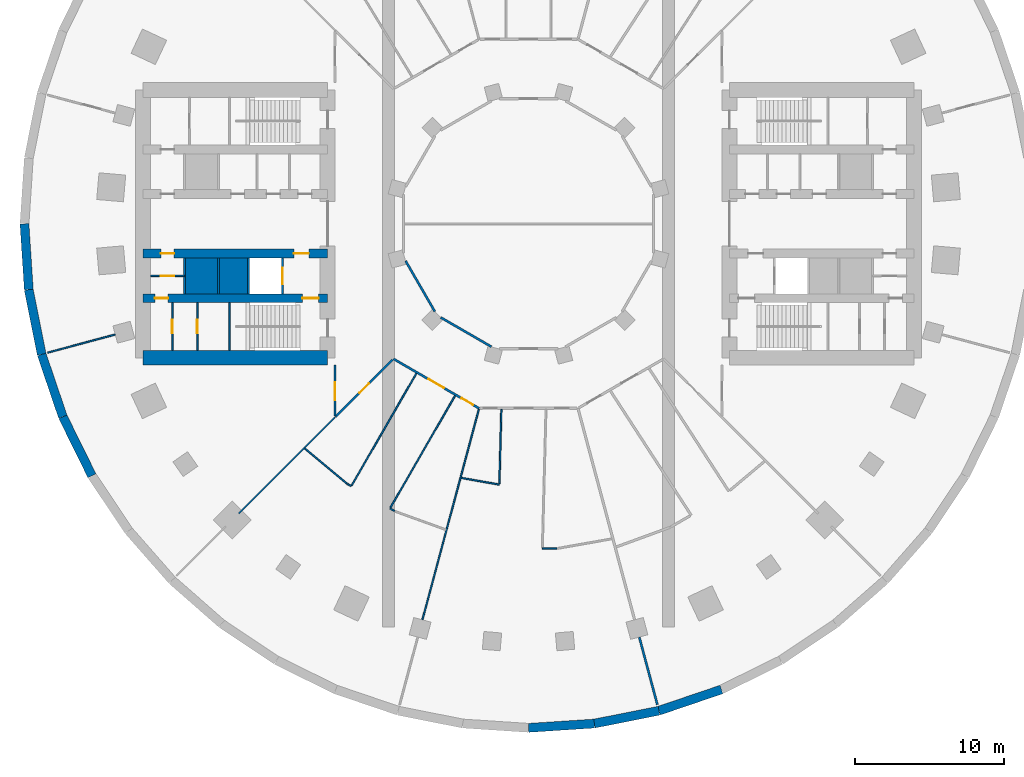
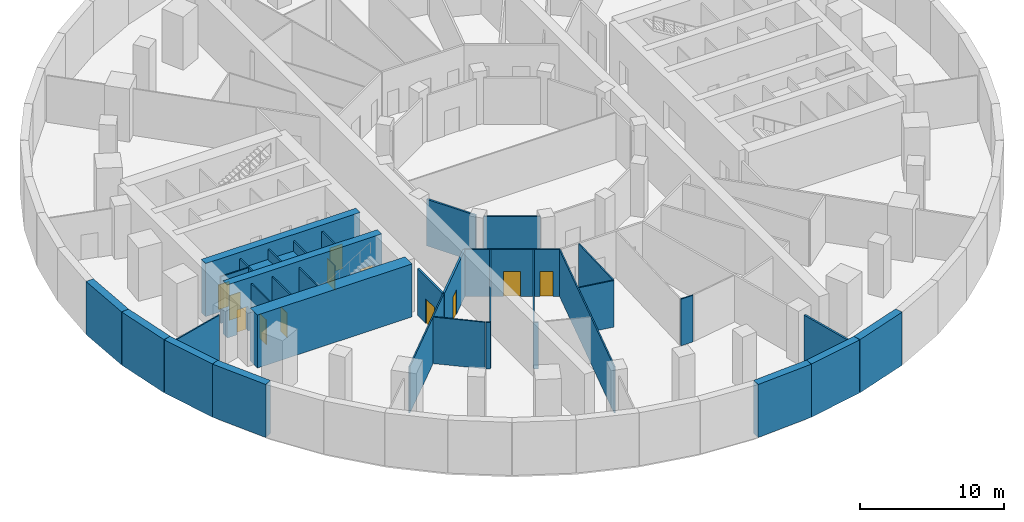
# One storey, part 2 of 8: 37 walls, 12 doors, 12 openings.
"""IFC4 building model written with IfcOpenShell, lengths in metres."""

from ifc_helpers import new_model, si_unit, direction, frame, frame_2d, origin, place, context, subcontext, project, spatial, rectangle, extrude, material, layer, layer_set, type_object, element, fill, save


model = new_model("IFC4")

# Units and contexts
model_context = context("Model", 3, precision=1e-05, world=origin(), true_north=direction((0.0, 1.0)))
body_context = subcontext(model_context, "Body", "Model", "MODEL_VIEW")
ifc_project = project(units=[si_unit("LENGTHUNIT", "METRE"), si_unit("AREAUNIT", "SQUARE_METRE"), si_unit("VOLUMEUNIT", "CUBIC_METRE"), si_unit("PLANEANGLEUNIT", "RADIAN"), si_unit("MASSUNIT", "GRAM", prefix="KILO")], contexts=[model_context])

# Site, building, storey
site_placement = place(None, origin())
site = spatial("IfcSite", under=ifc_project, at=site_placement, CompositionType="ELEMENT")
building_placement = place(site_placement, origin())
building = spatial("IfcBuilding", under=site, at=building_placement, Name="Saqina Gate Tower", CompositionType="ELEMENT")
storey_placement = place(building_placement, frame((0.0, 0.0, -4.5)))
storey = spatial("IfcBuildingStorey", under=building, at=storey_placement, Name="B1", CompositionType="ELEMENT", Elevation=-4.5)

# Wall, opening, door
ifc_material_1 = material(Name="Gypsum board on steel studs", Category="steel")
ifc_layer_1 = layer(ifc_material_1, 0.10009765625)
ifc_layer_set_1 = layer_set([ifc_layer_1], Name="CORE PARTITION")
wall_type_1 = type_object("IfcWallType", Name="CORE PARTITION", PredefinedType="PARTITIONING", material=ifc_layer_set_1)
wall_1_placement = place(storey_placement, frame((-23.1201171875, -3.5, 0.0), z_axis=(0.0, 0.0, 1.0), x_axis=(-1.0, 0.0, 0.0)))
wall_1 = element("IfcWall", 1, at=wall_1_placement, inside=storey, type_object=wall_type_1, Name="B1-CP-W09", PredefinedType="PARTITIONING", context=body_context, shape_type="SweptSolid", body=[
    extrude(rectangle(XDim=2.27978515625, YDim=0.10009765625, at=frame_2d((1.139892578125, 0.0))), origin(), (0.0, 0.0, 1.0), 3.949951171875),
])
opening_1_placement = place(wall_1_placement, frame((0.68994140625, 0.0, 0.0)))
opening_1 = element("IfcOpeningElement", 2, at=opening_1_placement, cuts=wall_1, Name="Opening B1-D114", PredefinedType="OPENING", context=body_context, shape_type="SweptSolid", body=[
    extrude(rectangle(XDim=0.89990234375, YDim=2.10009765625, at=frame_2d((0.449951171875, 1.050048828125))), frame((0.0, 0.06201171875, 0.0), z_axis=(0.0, -1.0, 0.0), x_axis=(1.0, 0.0, 0.0)), (0.0, 0.0, 1.0), 0.1240234375),
])
ifc_material_2 = material(Name="Steel-framed fire door leaf, EI 60", Category="steel")
door_type_1 = type_object("IfcDoorType", Name="SERVICE ROOM DOOR 900", OperationType="SINGLE_SWING_LEFT", PredefinedType="DOOR", material=ifc_material_2)
door_1_placement = place(opening_1_placement, origin())
door_1 = element("IfcDoor", 3, at=door_1_placement, inside=storey, type_object=door_type_1, Name="B1-CD-W25", OperationType="SINGLE_SWING_RIGHT", OverallHeight=2.10009765625, OverallWidth=0.89990234375, PredefinedType="DOOR", context=body_context, shape_type="SweptSolid", body=[
    extrude(rectangle(XDim=0.89990234375, YDim=2.10009765625, at=frame_2d((0.449951171875, 1.050048828125))), frame((0.0, 0.02490234375, 0.0), z_axis=(0.0, -1.0, 0.0), x_axis=(1.0, 0.0, 0.0)), (0.0, 0.0, 1.0), 0.050048828125),
])
fill(opening_1, door_1)

wall_2_placement = place(storey_placement, frame((-22.256103515625, -8.5, 0.0), z_axis=(0.0, 0.0, 1.0), x_axis=(0.0, 1.0, 0.0)))
wall_2 = element("IfcWall", 4, at=wall_2_placement, inside=storey, type_object=wall_type_1, Name="B1-CP-W13", PredefinedType="PARTITIONING", context=body_context, shape_type="SweptSolid", body=[
    extrude(rectangle(XDim=3.199951171875, YDim=0.10009765625, at=frame_2d((1.60009765625, 0.0))), origin(), (0.0, 0.0, 1.0), 3.949951171875),
])
opening_2_placement = place(wall_2_placement, frame((1.14990234375, 0.0, 0.0)))
opening_2 = element("IfcOpeningElement", 5, at=opening_2_placement, cuts=wall_2, Name="Opening B1-D116", PredefinedType="OPENING", context=body_context, shape_type="SweptSolid", body=[
    extrude(rectangle(XDim=0.89990234375, YDim=2.10009765625, at=frame_2d((0.449951171875, 1.050048828125))), frame((0.0, 0.06201171875, 0.0), z_axis=(0.0, -1.0, 0.0), x_axis=(1.0, 0.0, 0.0)), (0.0, 0.0, 1.0), 0.1240234375),
])
door_2_placement = place(opening_2_placement, frame((0.89990234375, 0.0, 0.0), z_axis=(0.0, 0.0, 1.0), x_axis=(-1.0, 0.0, 0.0)))
door_2 = element("IfcDoor", 6, at=door_2_placement, inside=storey, type_object=door_type_1, Name="B1-CD-W27", OperationType="SINGLE_SWING_RIGHT", OverallHeight=2.10009765625, OverallWidth=0.89990234375, PredefinedType="DOOR", context=body_context, shape_type="SweptSolid", body=[
    extrude(rectangle(XDim=0.89990234375, YDim=2.10009765625, at=frame_2d((0.449951171875, 1.050048828125))), frame((0.0, 0.02490234375, 0.0), z_axis=(0.0, -1.0, 0.0), x_axis=(1.0, 0.0, 0.0)), (0.0, 0.0, 1.0), 0.050048828125),
])
fill(opening_2, door_2)

wall_3_placement = place(storey_placement, frame((-23.932861328125, -8.5, 0.0), z_axis=(0.0, 0.0, 1.0), x_axis=(0.0, 1.0, 0.0)))
wall_3 = element("IfcWall", 7, at=wall_3_placement, inside=storey, type_object=wall_type_1, Name="B1-CP-W14", PredefinedType="PARTITIONING", context=body_context, shape_type="SweptSolid", body=[
    extrude(rectangle(XDim=3.199951171875, YDim=0.10009765625, at=frame_2d((1.60009765625, 0.0))), origin(), (0.0, 0.0, 1.0), 3.949951171875),
])
opening_3_placement = place(wall_3_placement, frame((1.14990234375, 0.0, 0.0)))
opening_3 = element("IfcOpeningElement", 8, at=opening_3_placement, cuts=wall_3, Name="Opening B1-D115", PredefinedType="OPENING", context=body_context, shape_type="SweptSolid", body=[
    extrude(rectangle(XDim=0.89990234375, YDim=2.10009765625, at=frame_2d((0.449951171875, 1.050048828125))), frame((0.0, 0.06201171875, 0.0), z_axis=(0.0, -1.0, 0.0), x_axis=(1.0, 0.0, 0.0)), (0.0, 0.0, 1.0), 0.1240234375),
])
door_3_placement = place(opening_3_placement, frame((0.89990234375, 0.0, 0.0), z_axis=(0.0, 0.0, 1.0), x_axis=(-1.0, 0.0, 0.0)))
door_3 = element("IfcDoor", 9, at=door_3_placement, inside=storey, type_object=door_type_1, Name="B1-CD-W26", OperationType="SINGLE_SWING_RIGHT", OverallHeight=2.10009765625, OverallWidth=0.89990234375, PredefinedType="DOOR", context=body_context, shape_type="SweptSolid", body=[
    extrude(rectangle(XDim=0.89990234375, YDim=2.10009765625, at=frame_2d((0.449951171875, 1.050048828125))), frame((0.0, 0.02490234375, 0.0), z_axis=(0.0, -1.0, 0.0), x_axis=(1.0, 0.0, 0.0)), (0.0, 0.0, 1.0), 0.050048828125),
])
fill(opening_3, door_3)

# Walls
ifc_material_3 = material(Name="Concrete C40/50", Category="concrete")
ifc_layer_2 = layer(ifc_material_3, 2.39990234375)
ifc_layer_set_2 = layer_set([ifc_layer_2], Name="Concrete C40/50")
wall_type_2 = type_object("IfcWallType", Name="LIFT PIT PEDESTAL", PredefinedType="SOLIDWALL", material=ifc_layer_set_2)
wall_4_placement = place(storey_placement, frame((-18.8701171875, -3.5, 0.0), z_axis=(0.0, 0.0, 1.0), x_axis=(-1.0, 0.0, 0.0)))
element("IfcWall", 10, at=wall_4_placement, inside=storey, type_object=wall_type_2, Name="LIFT PIT BASE LR6", PredefinedType="SOLIDWALL", context=body_context, shape_type="SweptSolid", body=[
    extrude(rectangle(XDim=1.909912109375, YDim=2.39990234375, at=frame_2d((0.955078125, 0.0))), origin(), (0.0, 0.0, 1.0), 3.10009765625),
])
wall_5_placement = place(storey_placement, frame((-20.89990234375, -3.5, 0.0), z_axis=(0.0, 0.0, 1.0), x_axis=(-1.0, 0.0, 0.0)))
element("IfcWall", 11, at=wall_5_placement, inside=storey, type_object=wall_type_2, Name="LIFT PIT BASE LR5", PredefinedType="SOLIDWALL", context=body_context, shape_type="SweptSolid", body=[
    extrude(rectangle(XDim=2.16015625, YDim=2.39990234375, at=frame_2d((1.080078125, 0.0))), origin(), (0.0, 0.0, 1.0), 3.10009765625),
])

# Wall, opening, door
ifc_material_4 = material(Name="Autoclaved aerated concrete block", Category="concrete")
ifc_layer_3 = layer(ifc_material_4, 0.1201171875)
ifc_layer_set_3 = layer_set([ifc_layer_3], Name="SHAFT PARTITION")
wall_type_3 = type_object("IfcWallType", Name="SHAFT PARTITION", PredefinedType="PARTITIONING", material=ifc_layer_set_3)
wall_6_placement = place(storey_placement, frame((-16.530029296875, -4.699951171875, 0.0), z_axis=(0.0, 0.0, 1.0), x_axis=(0.0, 1.0, 0.0)))
wall_6 = element("IfcWall", 12, at=wall_6_placement, inside=storey, type_object=wall_type_3, Name="B1-CP-W05", PredefinedType="PARTITIONING", context=body_context, shape_type="SweptSolid", body=[
    extrude(rectangle(XDim=2.39990234375, YDim=0.1201171875, at=frame_2d((1.199951171875, 0.0))), origin(), (0.0, 0.0, 1.0), 3.949951171875),
])
opening_4_placement = place(wall_6_placement, frame((0.64990234375, 0.0, 0.0)))
opening_4 = element("IfcOpeningElement", 13, at=opening_4_placement, cuts=wall_6, Name="Opening B1-LD2", PredefinedType="OPENING", context=body_context, shape_type="SweptSolid", body=[
    extrude(rectangle(XDim=1.10009765625, YDim=2.10009765625, at=frame_2d((0.550048828125, 1.050048828125))), frame((0.0, 0.072021484375, 0.0), z_axis=(0.0, -1.0, 0.0), x_axis=(1.0, 0.0, 0.0)), (0.0, 0.0, 1.0), 0.14404296875),
])
ifc_material_5 = material(Name="Stainless steel", Category="steel")
door_type_2 = type_object("IfcDoorType", Name="LANDING DOOR", OperationType="DOUBLE_DOOR_SLIDING", PredefinedType="DOOR", material=ifc_material_5)
door_4_placement = place(opening_4_placement, origin())
door_4 = element("IfcDoor", 14, at=door_4_placement, inside=storey, type_object=door_type_2, Name="LANDING DOOR FF2", OperationType="DOUBLE_DOOR_SLIDING", OverallHeight=2.10009765625, OverallWidth=1.10009765625, PredefinedType="DOOR", context=body_context, shape_type="SweptSolid", body=[
    extrude(rectangle(XDim=1.10009765625, YDim=2.10009765625, at=frame_2d((0.550048828125, 1.050048828125))), frame((0.0, 0.02490234375, 0.0), z_axis=(0.0, -1.0, 0.0), x_axis=(1.0, 0.0, 0.0)), (0.0, 0.0, 1.0), 0.050048828125),
])
fill(opening_4, door_4)

# Walls
for number, where, z_axis, x_axis, name in (
    (15, (-18.81005859375, -4.699951171875, 0.0), (0.0, 0.0, 1.0), (0.0, 1.0, 0.0), "B1-CP-W06"),
    (16, (-20.840087890625, -4.699951171875, 0.0), (0.0, 0.0, 1.0), (0.0, 1.0, 0.0), "B1-CP-W07"),
    (17, (-23.1201171875, -4.699951171875, 0.0), (0.0, 0.0, 1.0), (0.0, 1.0, 0.0), "B1-CP-W08"),
):
    element("IfcWall", number, at=place(storey_placement, frame(where, z_axis=z_axis, x_axis=x_axis)), inside=storey, type_object=wall_type_3, Name=name, PredefinedType="PARTITIONING", context=body_context, shape_type="SweptSolid", body=[
        extrude(rectangle(XDim=2.39990234375, YDim=0.1201171875, at=frame_2d((1.199951171875, 0.0))), origin(), (0.0, 0.0, 1.0), 3.949951171875),
    ])
ifc_material_6 = material(Name="Gypsum board on steel studs, 100 mm", Category="steel")
ifc_layer_4 = layer(ifc_material_6, 0.10009765625)
ifc_layer_set_4 = layer_set([ifc_layer_4], Name="SPECIAL PARTITION 100")
wall_type_4 = type_object("IfcWallType", Name="SPECIAL PARTITION 100", PredefinedType="PARTITIONING", material=ifc_layer_set_4)
wall_7_placement = place(storey_placement, frame((-15.023681640625, -15.093994140625, 0.0), z_axis=(0.0, 0.0, 1.0), x_axis=(0.765943777194, -0.64290755959, 0.0)))
element("IfcWall", 18, at=wall_7_placement, inside=storey, type_object=wall_type_4, Name="PARTITION 016", PredefinedType="PARTITIONING", context=body_context, shape_type="SweptSolid", body=[
    extrude(rectangle(XDim=3.6630859375, YDim=0.10009765625, at=frame_2d((1.83154296875, 0.0))), origin(), (0.0, 0.0, 1.0), 3.949951171875),
])
wall_8_placement = place(storey_placement, frame((-12.1748046875, -17.47412109375, 0.0), z_axis=(0.0, 0.0, 1.0), x_axis=(0.866966500638, -0.498366418181, 0.0)))
element("IfcWall", 19, at=wall_8_placement, inside=storey, type_object=wall_type_4, Name="PARTITION 023", PredefinedType="PARTITIONING", context=body_context, shape_type="SweptSolid", body=[
    extrude(rectangle(XDim=0.306640625, YDim=0.10009765625, at=frame_2d((0.1533203125, 0.0))), origin(), (0.0, 0.0, 1.0), 3.949951171875),
])
wall_9_placement = place(storey_placement, frame((-9.31103515625, -19.126953125, 0.0), z_axis=(0.0, 0.0, 1.0), x_axis=(0.866595547107, -0.499011179969, 0.0)))
element("IfcWall", 20, at=wall_9_placement, inside=storey, type_object=wall_type_4, Name="PARTITION 024", PredefinedType="PARTITIONING", context=body_context, shape_type="SweptSolid", body=[
    extrude(rectangle(XDim=0.356689453125, YDim=0.10009765625, at=frame_2d((0.17822265625, 0.0))), origin(), (0.0, 0.0, 1.0), 3.949951171875),
])
wall_10_placement = place(storey_placement, frame((-4.5234375, -17.07373046875, 0.0), z_axis=(0.0, 0.0, 1.0), x_axis=(0.984809975215, -0.173635574457, 0.0)))
element("IfcWall", 21, at=wall_10_placement, inside=storey, type_object=wall_type_4, Name="PARTITION 029", PredefinedType="PARTITIONING", context=body_context, shape_type="SweptSolid", body=[
    extrude(rectangle(XDim=2.60400390625, YDim=0.10009765625, at=frame_2d((1.302001953125, 0.0))), origin(), (0.0, 0.0, 1.0), 3.949951171875),
])
wall_11_placement = place(storey_placement, frame((0.928955078125, -21.820068359375, 0.0), z_axis=(0.0, 0.0, 1.0), x_axis=(1.0, 0.0, 0.0)))
element("IfcWall", 22, at=wall_11_placement, inside=storey, type_object=wall_type_4, Name="PARTITION 031", PredefinedType="PARTITIONING", context=body_context, shape_type="SweptSolid", body=[
    extrude(rectangle(XDim=0.97998046875, YDim=0.10009765625, at=frame_2d((0.489990234375, 0.0))), origin(), (0.0, 0.0, 1.0), 3.949951171875),
])
wall_12_placement = place(storey_placement, frame((-32.30810546875, -8.656982421875, 0.0), z_axis=(0.0, 0.0, 1.0), x_axis=(0.965934336634, 0.258787281972, 0.0)))
element("IfcWall", 23, at=wall_12_placement, inside=storey, type_object=wall_type_4, Name="PARTITION 041", PredefinedType="PARTITIONING", context=body_context, shape_type="SweptSolid", body=[
    extrude(rectangle(XDim=4.687744140625, YDim=0.10009765625, at=frame_2d((2.34375, 0.0))), origin(), (0.0, 0.0, 1.0), 3.949951171875),
])
wall_13_placement = place(storey_placement, frame((-19.4736328125, -19.4736328125, 0.0), z_axis=(0.0, 0.0, 1.0), x_axis=(0.707106781187, 0.707106781187, 0.0)))
element("IfcWall", 24, at=wall_13_placement, inside=storey, type_object=wall_type_4, Name="PARTITION 054", PredefinedType="PARTITIONING", context=body_context, shape_type="SweptSolid", body=[
    extrude(rectangle(XDim=9.155029296875, YDim=0.10009765625, at=frame_2d((4.57763671875, 0.0))), origin(), (0.0, 0.0, 1.0), 3.949951171875),
])
wall_14_placement = place(storey_placement, frame((-9.285888671875, -19.083740234375, 0.0), z_axis=(0.0, 0.0, 1.0), x_axis=(0.500007644514, 0.866020990177, 0.0)))
element("IfcWall", 25, at=wall_14_placement, inside=storey, type_object=wall_type_4, Name="PARTITION 062", PredefinedType="PARTITIONING", context=body_context, shape_type="SweptSolid", body=[
    extrude(rectangle(XDim=8.694580078125, YDim=0.10009765625, at=frame_2d((4.34716796875, 0.0))), origin(), (0.0, 0.0, 1.0), 3.949951171875),
])
wall_15_placement = place(storey_placement, frame((-11.884033203125, -17.583740234375, 0.0), z_axis=(0.0, 0.0, 1.0), x_axis=(0.499971170311, 0.866042047973, 0.0)))
element("IfcWall", 26, at=wall_15_placement, inside=storey, type_object=wall_type_4, Name="PARTITION 063", PredefinedType="PARTITIONING", context=body_context, shape_type="SweptSolid", body=[
    extrude(rectangle(XDim=8.6953125, YDim=0.10009765625, at=frame_2d((4.34765625, 0.0))), origin(), (0.0, 0.0, 1.0), 3.949951171875),
])
wall_16_placement = place(storey_placement, frame((-7.1279296875, -26.6015625, 0.0), z_axis=(0.0, 0.0, 1.0), x_axis=(0.258838422564, 0.965920633906, 0.0)))
element("IfcWall", 27, at=wall_16_placement, inside=storey, type_object=wall_type_4, Name="PARTITION 066", PredefinedType="PARTITIONING", context=body_context, shape_type="SweptSolid", body=[
    extrude(rectangle(XDim=14.62744140625, YDim=0.10009765625, at=frame_2d((7.313720703125, 0.0))), origin(), (0.0, 0.0, 1.0), 3.949951171875),
])
wall_17_placement = place(storey_placement, frame((-1.957763671875, -17.47607421875, 0.0), z_axis=(0.0, 0.0, 1.0), x_axis=(0.026157810716, 0.999657825928, 0.0)))
element("IfcWall", 28, at=wall_17_placement, inside=storey, type_object=wall_type_4, Name="PARTITION 071", PredefinedType="PARTITIONING", context=body_context, shape_type="SweptSolid", body=[
    extrude(rectangle(XDim=5.002685546875, YDim=0.10009765625, at=frame_2d((2.50146484375, 0.0))), origin(), (0.0, 0.0, 1.0), 3.949951171875),
])
ifc_material_7 = material(Name="Gypsum board on steel studs, 150 mm, fire rated", Category="steel")
ifc_layer_5 = layer(ifc_material_7, 0.14990234375)
ifc_layer_set_5 = layer_set([ifc_layer_5], Name="SPECIAL PARTITION EI 30 150")
wall_type_5 = type_object("IfcWallType", Name="SPECIAL PARTITION EI 30 150", PredefinedType="PARTITIONING", material=ifc_layer_set_5)
wall_18_placement = place(storey_placement, frame((-8.256591796875, -2.4990234375, 0.0), z_axis=(0.0, 0.0, 1.0), x_axis=(0.500061252887, -0.865990036525, 0.0)))
element("IfcWall", 29, at=wall_18_placement, inside=storey, type_object=wall_type_5, Name="PARTITION 005", PredefinedType="PARTITIONING", context=body_context, shape_type="SweptSolid", body=[
    extrude(rectangle(XDim=3.9296875, YDim=0.14990234375, at=frame_2d((1.96484375, 0.0))), origin(), (0.0, 0.0, 1.0), 3.949951171875),
])

# Wall, openings, doors
wall_19_placement = place(storey_placement, frame((-9.076904296875, -9.076904296875, 0.0), z_axis=(0.0, 0.0, 1.0), x_axis=(0.865961614908, -0.500110469302, 0.0)))
wall_19 = element("IfcWall", 30, at=wall_19_placement, inside=storey, type_object=wall_type_5, Name="PARTITION 018", PredefinedType="PARTITIONING", context=body_context, shape_type="SweptSolid", body=[
    extrude(rectangle(XDim=6.64453125, YDim=0.14990234375, at=frame_2d((3.322265625, 0.0))), origin(), (0.0, 0.0, 1.0), 3.949951171875),
])
opening_5_placement = place(wall_19_placement, frame((2.722412109375, 0.0, 0.0)))
opening_5 = element("IfcOpeningElement", 31, at=opening_5_placement, cuts=wall_19, Name="Opening B1-D17", PredefinedType="OPENING", context=body_context, shape_type="SweptSolid", body=[
    extrude(rectangle(XDim=1.199951171875, YDim=2.10009765625, at=frame_2d((0.60009765625, 1.050048828125))), frame((0.0, 0.0869140625, 0.0), z_axis=(0.0, -1.0, 0.0), x_axis=(1.0, 0.0, 0.0)), (0.0, 0.0, 1.0), 0.173828125),
])
opening_6_placement = place(wall_19_placement, frame((5.28369140625, 0.0, 0.0)))
opening_6 = element("IfcOpeningElement", 32, at=opening_6_placement, cuts=wall_19, Name="Opening B1-D18", PredefinedType="OPENING", context=body_context, shape_type="SweptSolid", body=[
    extrude(rectangle(XDim=0.89990234375, YDim=2.10009765625, at=frame_2d((0.449951171875, 1.050048828125))), frame((0.0, 0.0869140625, 0.0), z_axis=(0.0, -1.0, 0.0), x_axis=(1.0, 0.0, 0.0)), (0.0, 0.0, 1.0), 0.173828125),
])
ifc_material_8 = material(Name="Steel-framed fire door leaf, EI 30", Category="steel")
door_type_3 = type_object("IfcDoorType", Name="SPECIAL DOOR 1200 FIRE EI 30", OperationType="SINGLE_SWING_LEFT", PredefinedType="DOOR", material=ifc_material_8)
door_5_placement = place(opening_5_placement, origin())
door_5 = element("IfcDoor", 33, at=door_5_placement, inside=storey, type_object=door_type_3, Name="DOOR B1-D17", OperationType="SINGLE_SWING_LEFT", OverallHeight=2.10009765625, OverallWidth=1.199951171875, PredefinedType="DOOR", context=body_context, shape_type="SweptSolid", body=[
    extrude(rectangle(XDim=1.199951171875, YDim=2.10009765625, at=frame_2d((0.60009765625, 1.050048828125))), frame((0.0, 0.02490234375, 0.0), z_axis=(0.0, -1.0, 0.0), x_axis=(1.0, 0.0, 0.0)), (0.0, 0.0, 1.0), 0.050048828125),
])
fill(opening_5, door_5)
ifc_material_9 = material(Name="Steel-framed fire door leaf, EI 30", Category="steel")
door_type_4 = type_object("IfcDoorType", Name="SPECIAL DOOR 900 FIRE EI 30", OperationType="SINGLE_SWING_LEFT", PredefinedType="DOOR", material=ifc_material_9)
door_6_placement = place(opening_6_placement, frame((0.89990234375, 0.0, 0.0), z_axis=(0.0, 0.0, 1.0), x_axis=(-1.0, 0.0, 0.0)))
door_6 = element("IfcDoor", 34, at=door_6_placement, inside=storey, type_object=door_type_4, Name="DOOR B1-D18", OperationType="SINGLE_SWING_RIGHT", OverallHeight=2.10009765625, OverallWidth=0.89990234375, PredefinedType="DOOR", context=body_context, shape_type="SweptSolid", body=[
    extrude(rectangle(XDim=0.89990234375, YDim=2.10009765625, at=frame_2d((0.449951171875, 1.050048828125))), frame((0.0, 0.02490234375, 0.0), z_axis=(0.0, -1.0, 0.0), x_axis=(1.0, 0.0, 0.0)), (0.0, 0.0, 1.0), 0.050048828125),
])
fill(opening_6, door_6)

# Wall
wall_20_placement = place(storey_placement, frame((-5.902099609375, -6.29150390625, 0.0), z_axis=(0.0, 0.0, 1.0), x_axis=(0.865990036525, -0.500061252887, 0.0)))
element("IfcWall", 35, at=wall_20_placement, inside=storey, type_object=wall_type_5, Name="PARTITION 019", PredefinedType="PARTITIONING", context=body_context, shape_type="SweptSolid", body=[
    extrude(rectangle(XDim=3.9296875, YDim=0.14990234375, at=frame_2d((1.96484375, 0.0))), origin(), (0.0, 0.0, 1.0), 3.949951171875),
])

# Wall, opening, door
wall_21_placement = place(storey_placement, frame((-12.964599609375, -12.964599609375, 0.0), z_axis=(0.0, 0.0, 1.0), x_axis=(0.707106781187, 0.707106781187, 0.0)))
wall_21 = element("IfcWall", 36, at=wall_21_placement, inside=storey, type_object=wall_type_5, Name="PARTITION 057", PredefinedType="PARTITIONING", context=body_context, shape_type="SweptSolid", body=[
    extrude(rectangle(XDim=5.423095703125, YDim=0.14990234375, at=frame_2d((2.71142578125, 0.0))), origin(), (0.0, 0.0, 1.0), 3.949951171875),
])
opening_7_placement = place(wall_21_placement, frame((2.27197265625, 0.0, 0.0)))
opening_7 = element("IfcOpeningElement", 37, at=opening_7_placement, cuts=wall_21, Name="Opening B1-D16", PredefinedType="OPENING", context=body_context, shape_type="SweptSolid", body=[
    extrude(rectangle(XDim=0.89990234375, YDim=2.10009765625, at=frame_2d((0.449951171875, 1.050048828125))), frame((0.0, 0.0869140625, 0.0), z_axis=(0.0, -1.0, 0.0), x_axis=(1.0, 0.0, 0.0)), (0.0, 0.0, 1.0), 0.173828125),
])
door_7_placement = place(opening_7_placement, frame((0.89990234375, 0.0, 0.0), z_axis=(0.0, 0.0, 1.0), x_axis=(-1.0, 0.0, 0.0)))
door_7 = element("IfcDoor", 38, at=door_7_placement, inside=storey, type_object=door_type_4, Name="DOOR B1-D16", OperationType="SINGLE_SWING_LEFT", OverallHeight=2.10009765625, OverallWidth=0.89990234375, PredefinedType="DOOR", context=body_context, shape_type="SweptSolid", body=[
    extrude(rectangle(XDim=0.89990234375, YDim=2.10009765625, at=frame_2d((0.449951171875, 1.050048828125))), frame((0.0, 0.02490234375, 0.0), z_axis=(0.0, -1.0, 0.0), x_axis=(1.0, 0.0, 0.0)), (0.0, 0.0, 1.0), 0.050048828125),
])
fill(opening_7, door_7)

wall_22_placement = place(storey_placement, frame((-13.0, -12.925048828125, 0.0), z_axis=(0.0, 0.0, 1.0), x_axis=(0.0, 1.0, 0.0)))
wall_22 = element("IfcWall", 39, at=wall_22_placement, inside=storey, type_object=wall_type_5, Name="PARTITION 078", PredefinedType="PARTITIONING", context=body_context, shape_type="SweptSolid", body=[
    extrude(rectangle(XDim=3.425048828125, YDim=0.14990234375, at=frame_2d((1.71240234375, 0.0))), origin(), (0.0, 0.0, 1.0), 3.949951171875),
])
opening_8_placement = place(wall_22_placement, frame((1.074951171875, 0.0, 0.0)))
opening_8 = element("IfcOpeningElement", 40, at=opening_8_placement, cuts=wall_22, Name="Opening B1-D15", PredefinedType="OPENING", context=body_context, shape_type="SweptSolid", body=[
    extrude(rectangle(XDim=1.199951171875, YDim=2.10009765625, at=frame_2d((0.60009765625, 1.050048828125))), frame((0.0, 0.0869140625, 0.0), z_axis=(0.0, -1.0, 0.0), x_axis=(1.0, 0.0, 0.0)), (0.0, 0.0, 1.0), 0.173828125),
])
door_8_placement = place(opening_8_placement, frame((1.199951171875, 0.0, 0.0), z_axis=(0.0, 0.0, 1.0), x_axis=(-1.0, 0.0, 0.0)))
door_8 = element("IfcDoor", 41, at=door_8_placement, inside=storey, type_object=door_type_3, Name="DOOR B1-D15", OperationType="SINGLE_SWING_RIGHT", OverallHeight=2.10009765625, OverallWidth=1.199951171875, PredefinedType="DOOR", context=body_context, shape_type="SweptSolid", body=[
    extrude(rectangle(XDim=1.199951171875, YDim=2.10009765625, at=frame_2d((0.60009765625, 1.050048828125))), frame((0.0, 0.02490234375, 0.0), z_axis=(0.0, -1.0, 0.0), x_axis=(1.0, 0.0, 0.0)), (0.0, 0.0, 1.0), 0.050048828125),
])
fill(opening_8, door_8)

# Walls
ifc_material_10 = material(Name="Masonry block and plaster, 150 mm, fire rated", Category="masonry")
ifc_layer_6 = layer(ifc_material_10, 0.14990234375)
ifc_layer_set_6 = layer_set([ifc_layer_6], Name="SPECIAL PARTITION EI 60 150")
wall_type_6 = type_object("IfcWallType", Name="SPECIAL PARTITION EI 60 150", PredefinedType="PARTITIONING", material=ifc_layer_set_6)
wall_23_placement = place(storey_placement, frame((7.443359375, -27.780029296875, 0.0), z_axis=(0.0, 0.0, 1.0), x_axis=(0.258787281972, -0.965934336634, 0.0)))
element("IfcWall", 42, at=wall_23_placement, inside=storey, type_object=wall_type_6, Name="PARTITION 004", PredefinedType="PARTITIONING", context=body_context, shape_type="SweptSolid", body=[
    extrude(rectangle(XDim=4.687744140625, YDim=0.14990234375, at=frame_2d((2.34375, 0.0))), origin(), (0.0, 0.0, 1.0), 3.949951171875),
])
ifc_material_11 = material(Name="Autoclaved aerated concrete block", Category="concrete")
ifc_layer_7 = layer(ifc_material_11, 0.10009765625)
ifc_layer_set_7 = layer_set([ifc_layer_7], Name="STAIR ENCLOSURE WALL")
wall_type_7 = type_object("IfcWallType", Name="STAIR ENCLOSURE WALL", PredefinedType="PARTITIONING", material=ifc_layer_set_7)
wall_24_placement = place(storey_placement, frame((-20.110107421875, -8.5, 0.0), z_axis=(0.0, 0.0, 1.0), x_axis=(0.0, 1.0, 0.0)))
element("IfcWall", 43, at=wall_24_placement, inside=storey, type_object=wall_type_7, Name="B1-CP-W12", PredefinedType="PARTITIONING", context=body_context, shape_type="SweptSolid", body=[
    extrude(rectangle(XDim=3.199951171875, YDim=0.10009765625, at=frame_2d((1.60009765625, 0.0))), origin(), (0.0, 0.0, 1.0), 3.949951171875),
])

# Wall, openings, doors
ifc_material_12 = material(Name="Concrete C70/85", Category="concrete")
ifc_layer_8 = layer(ifc_material_12, 0.60009765625)
ifc_layer_set_8 = layer_set([ifc_layer_8], Name="Concrete C70/85")
wall_type_8 = type_object("IfcWallType", Name="STR-CORE WALL-P-I", PredefinedType="SHEAR", material=ifc_layer_set_8)
wall_25_placement = place(storey_placement, frame((-13.5, -5.0, 0.0), z_axis=(0.0, 0.0, 1.0), x_axis=(-1.0, 0.0, 0.0)))
wall_25 = element("IfcWall", 44, at=wall_25_placement, inside=storey, type_object=wall_type_8, Name="CORE WALL B1 W-X2", PredefinedType="SHEAR", context=body_context, shape_type="SweptSolid", body=[
    extrude(rectangle(XDim=12.39990234375, YDim=0.60009765625, at=frame_2d((6.199951171875, 0.0))), origin(), (0.0, 0.0, 1.0), 4.5),
])
opening_9_placement = place(wall_25_placement, frame((10.71630859375, 0.0, 0.0)))
opening_9 = element("IfcOpeningElement", 45, at=opening_9_placement, cuts=wall_25, Name="Opening B1-D117", PredefinedType="OPENING", context=body_context, shape_type="SweptSolid", body=[
    extrude(rectangle(XDim=0.89990234375, YDim=2.10009765625, at=frame_2d((0.449951171875, 1.050048828125))), frame((0.0, 0.31201171875, 0.0), z_axis=(0.0, -1.0, 0.0), x_axis=(1.0, 0.0, 0.0)), (0.0, 0.0, 1.0), 0.6240234375),
])
opening_10_placement = place(wall_25_placement, frame((0.60009765625, 0.0, 0.0)))
opening_10 = element("IfcOpeningElement", 46, at=opening_10_placement, cuts=wall_25, Name="Opening B1-D118", PredefinedType="OPENING", context=body_context, shape_type="SweptSolid", body=[
    extrude(rectangle(XDim=1.10009765625, YDim=2.10009765625, at=frame_2d((0.550048828125, 1.050048828125))), frame((0.0, 0.31201171875, 0.0), z_axis=(0.0, -1.0, 0.0), x_axis=(1.0, 0.0, 0.0)), (0.0, 0.0, 1.0), 0.6240234375),
])
ifc_material_13 = material(Name="Steel", Category="steel")
door_type_5 = type_object("IfcDoorType", Name="FIRE LOBBY DOOR EI 60 WIDE", OperationType="SINGLE_SWING_LEFT", PredefinedType="DOOR", material=ifc_material_13)
door_9_placement = place(opening_10_placement, origin())
door_9 = element("IfcDoor", 47, at=door_9_placement, inside=storey, type_object=door_type_5, Name="B1-CD-W29", OperationType="SINGLE_SWING_LEFT", OverallHeight=2.10009765625, OverallWidth=1.10009765625, PredefinedType="DOOR", context=body_context, shape_type="SweptSolid", body=[
    extrude(rectangle(XDim=1.10009765625, YDim=2.10009765625, at=frame_2d((0.550048828125, 1.050048828125))), frame((0.0, 0.02490234375, 0.0), z_axis=(0.0, -1.0, 0.0), x_axis=(1.0, 0.0, 0.0)), (0.0, 0.0, 1.0), 0.050048828125),
])
fill(opening_10, door_9)
door_10_placement = place(opening_9_placement, origin())
door_10 = element("IfcDoor", 48, at=door_10_placement, inside=storey, type_object=door_type_1, Name="B1-CD-W28", OperationType="SINGLE_SWING_RIGHT", OverallHeight=2.10009765625, OverallWidth=0.89990234375, PredefinedType="DOOR", context=body_context, shape_type="SweptSolid", body=[
    extrude(rectangle(XDim=0.89990234375, YDim=2.10009765625, at=frame_2d((0.449951171875, 1.050048828125))), frame((0.0, 0.02490234375, 0.0), z_axis=(0.0, -1.0, 0.0), x_axis=(1.0, 0.0, 0.0)), (0.0, 0.0, 1.0), 0.050048828125),
])
fill(opening_9, door_10)

wall_26_placement = place(storey_placement, frame((-13.5, -2.0, 0.0), z_axis=(0.0, 0.0, 1.0), x_axis=(-1.0, 0.0, 0.0)))
wall_26 = element("IfcWall", 49, at=wall_26_placement, inside=storey, type_object=wall_type_8, Name="CORE WALL B1 W-L2", PredefinedType="SHEAR", context=body_context, shape_type="SweptSolid", body=[
    extrude(rectangle(XDim=12.39990234375, YDim=0.60009765625, at=frame_2d((6.199951171875, 0.0))), origin(), (0.0, 0.0, 1.0), 4.5),
])
opening_11_placement = place(wall_26_placement, frame((1.264892578125, 0.0, 0.0)))
opening_11 = element("IfcOpeningElement", 50, at=opening_11_placement, cuts=wall_26, Name="Opening B1-D110", PredefinedType="OPENING", context=body_context, shape_type="SweptSolid", body=[
    extrude(rectangle(XDim=1.0, YDim=2.10009765625, at=frame_2d((0.5, 1.050048828125))), frame((0.0, 0.31201171875, 0.0), z_axis=(0.0, -1.0, 0.0), x_axis=(1.0, 0.0, 0.0)), (0.0, 0.0, 1.0), 0.6240234375),
])
opening_12_placement = place(wall_26_placement, frame((10.31005859375, 0.0, 0.0)))
opening_12 = element("IfcOpeningElement", 51, at=opening_12_placement, cuts=wall_26, Name="Opening B1-D111", PredefinedType="OPENING", context=body_context, shape_type="SweptSolid", body=[
    extrude(rectangle(XDim=0.89990234375, YDim=2.10009765625, at=frame_2d((0.449951171875, 1.050048828125))), frame((0.0, 0.31201171875, 0.0), z_axis=(0.0, -1.0, 0.0), x_axis=(1.0, 0.0, 0.0)), (0.0, 0.0, 1.0), 0.6240234375),
])
ifc_material_14 = material(Name="Steel", Category="steel")
door_type_6 = type_object("IfcDoorType", Name="FIRE LOBBY DOOR EI 60", OperationType="SINGLE_SWING_LEFT", PredefinedType="DOOR", material=ifc_material_14)
door_11_placement = place(opening_11_placement, frame((1.0, 0.0, 0.0), z_axis=(0.0, 0.0, 1.0), x_axis=(-1.0, 0.0, 0.0)))
door_11 = element("IfcDoor", 52, at=door_11_placement, inside=storey, type_object=door_type_6, Name="B1-CD-W21", OperationType="SINGLE_SWING_RIGHT", OverallHeight=2.10009765625, OverallWidth=1.0, PredefinedType="DOOR", context=body_context, shape_type="SweptSolid", body=[
    extrude(rectangle(XDim=1.0, YDim=2.10009765625, at=frame_2d((0.5, 1.050048828125))), frame((0.0, 0.02490234375, 0.0), z_axis=(0.0, -1.0, 0.0), x_axis=(1.0, 0.0, 0.0)), (0.0, 0.0, 1.0), 0.050048828125),
])
fill(opening_11, door_11)
door_12_placement = place(opening_12_placement, origin())
door_12 = element("IfcDoor", 53, at=door_12_placement, inside=storey, type_object=door_type_1, Name="B1-CD-W22", OperationType="SINGLE_SWING_RIGHT", OverallHeight=2.10009765625, OverallWidth=0.89990234375, PredefinedType="DOOR", context=body_context, shape_type="SweptSolid", body=[
    extrude(rectangle(XDim=0.89990234375, YDim=2.10009765625, at=frame_2d((0.449951171875, 1.050048828125))), frame((0.0, 0.02490234375, 0.0), z_axis=(0.0, -1.0, 0.0), x_axis=(1.0, 0.0, 0.0)), (0.0, 0.0, 1.0), 0.050048828125),
])
fill(opening_12, door_12)

# Walls
ifc_material_15 = material(Name="Concrete C70/85", Category="concrete")
ifc_layer_9 = layer(ifc_material_15, 1.0)
ifc_layer_set_9 = layer_set([ifc_layer_9], Name="Concrete C70/85")
wall_type_9 = type_object("IfcWallType", Name="STR-CORE WALL-P-O", PredefinedType="SHEAR", material=ifc_layer_set_9)
wall_27_placement = place(storey_placement, frame((-13.5, -9.0, 0.0), z_axis=(0.0, 0.0, 1.0), x_axis=(-1.0, 0.0, 0.0)))
element("IfcWall", 54, at=wall_27_placement, inside=storey, type_object=wall_type_9, Name="CORE WALL B1 W-SE", PredefinedType="SHEAR", context=body_context, shape_type="SweptSolid", body=[
    extrude(rectangle(XDim=12.39990234375, YDim=1.0, at=frame_2d((6.199951171875, 0.0))), origin(), (0.0, 0.0, 1.0), 4.5),
])
ifc_material_16 = material(Name="Concrete C40/50", Category="concrete")
ifc_layer_10 = layer(ifc_material_16, 0.60009765625)
ifc_layer_set_10 = layer_set([ifc_layer_10], Name="Concrete C40/50")
wall_type_10 = type_object("IfcWallType", Name="STR-WALL-RETAINING", PredefinedType="SOLIDWALL", material=ifc_layer_set_10)
wall_28_placement = place(storey_placement, frame((-33.87255859375, 0.0, 0.0), z_axis=(0.0, 0.0, 1.0), x_axis=(0.065407158232, -0.997858659156, 0.0)))
element("IfcWall", 55, at=wall_28_placement, inside=storey, type_object=wall_type_10, Name="BASEMENT RETAINING WALL 25", PredefinedType="SOLIDWALL", context=body_context, shape_type="SweptSolid", body=[
    extrude(rectangle(XDim=4.4306640625, YDim=0.60009765625, at=frame_2d((2.21533203125, 0.0))), origin(), (0.0, 0.0, 1.0), 4.5),
])
wall_29_placement = place(storey_placement, frame((-33.582763671875, -4.421142578125, 0.0), z_axis=(0.0, 0.0, 1.0), x_axis=(0.195109395659, -0.980781486227, 0.0)))
element("IfcWall", 56, at=wall_29_placement, inside=storey, type_object=wall_type_10, Name="BASEMENT RETAINING WALL 26", PredefinedType="SOLIDWALL", context=body_context, shape_type="SweptSolid", body=[
    extrude(rectangle(XDim=4.430908203125, YDim=0.60009765625, at=frame_2d((2.21533203125, 0.0))), origin(), (0.0, 0.0, 1.0), 4.5),
])
wall_30_placement = place(storey_placement, frame((-32.71826171875, -8.766845703125, 0.0), z_axis=(0.0, 0.0, 1.0), x_axis=(0.321413701295, -0.946938874807, 0.0)))
element("IfcWall", 57, at=wall_30_placement, inside=storey, type_object=wall_type_10, Name="BASEMENT RETAINING WALL 27", PredefinedType="SOLIDWALL", context=body_context, shape_type="SweptSolid", body=[
    extrude(rectangle(XDim=4.4306640625, YDim=0.60009765625, at=frame_2d((2.21533203125, 0.0))), origin(), (0.0, 0.0, 1.0), 4.5),
])
wall_31_placement = place(storey_placement, frame((-31.294189453125, -12.96240234375, 0.0), z_axis=(0.0, 0.0, 1.0), x_axis=(0.442291876975, -0.896871169992, 0.0)))
element("IfcWall", 58, at=wall_31_placement, inside=storey, type_object=wall_type_10, Name="BASEMENT RETAINING WALL 28", PredefinedType="SOLIDWALL", context=body_context, shape_type="SweptSolid", body=[
    extrude(rectangle(XDim=4.430908203125, YDim=0.60009765625, at=frame_2d((2.21533203125, 0.0))), origin(), (0.0, 0.0, 1.0), 4.5),
])
wall_32_placement = place(storey_placement, frame((0.0, -33.87255859375, 0.0), z_axis=(0.0, 0.0, 1.0), x_axis=(0.997858659156, 0.065407158232, 0.0)))
element("IfcWall", 59, at=wall_32_placement, inside=storey, type_object=wall_type_10, Name="BASEMENT RETAINING WALL 37", PredefinedType="SOLIDWALL", context=body_context, shape_type="SweptSolid", body=[
    extrude(rectangle(XDim=4.4306640625, YDim=0.60009765625, at=frame_2d((2.21533203125, 0.0))), origin(), (0.0, 0.0, 1.0), 4.5),
])
wall_33_placement = place(storey_placement, frame((4.421142578125, -33.582763671875, 0.0), z_axis=(0.0, 0.0, 1.0), x_axis=(0.980781486227, 0.195109395659, 0.0)))
element("IfcWall", 60, at=wall_33_placement, inside=storey, type_object=wall_type_10, Name="BASEMENT RETAINING WALL 38", PredefinedType="SOLIDWALL", context=body_context, shape_type="SweptSolid", body=[
    extrude(rectangle(XDim=4.430908203125, YDim=0.60009765625, at=frame_2d((2.21533203125, 0.0))), origin(), (0.0, 0.0, 1.0), 4.5),
])
wall_34_placement = place(storey_placement, frame((8.766845703125, -32.71826171875, 0.0), z_axis=(0.0, 0.0, 1.0), x_axis=(0.946938874807, 0.321413701295, 0.0)))
element("IfcWall", 61, at=wall_34_placement, inside=storey, type_object=wall_type_10, Name="BASEMENT RETAINING WALL 39", PredefinedType="SOLIDWALL", context=body_context, shape_type="SweptSolid", body=[
    extrude(rectangle(XDim=4.4306640625, YDim=0.60009765625, at=frame_2d((2.21533203125, 0.0))), origin(), (0.0, 0.0, 1.0), 4.5),
])

save(model, "model.ifc")
